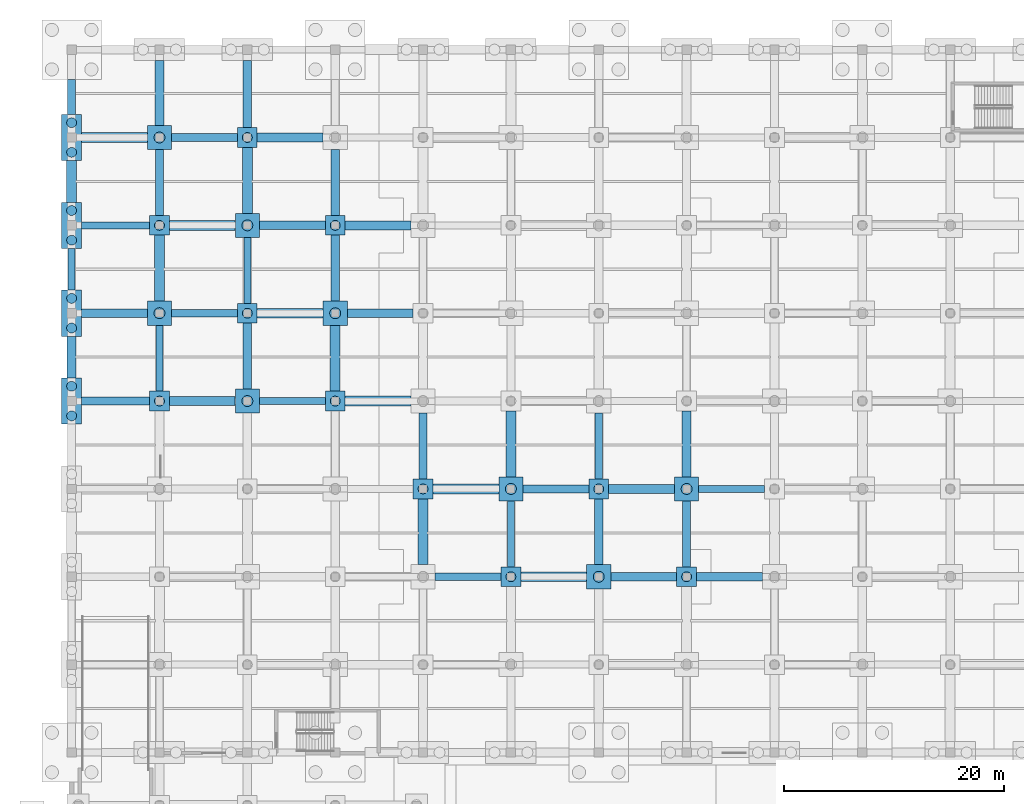
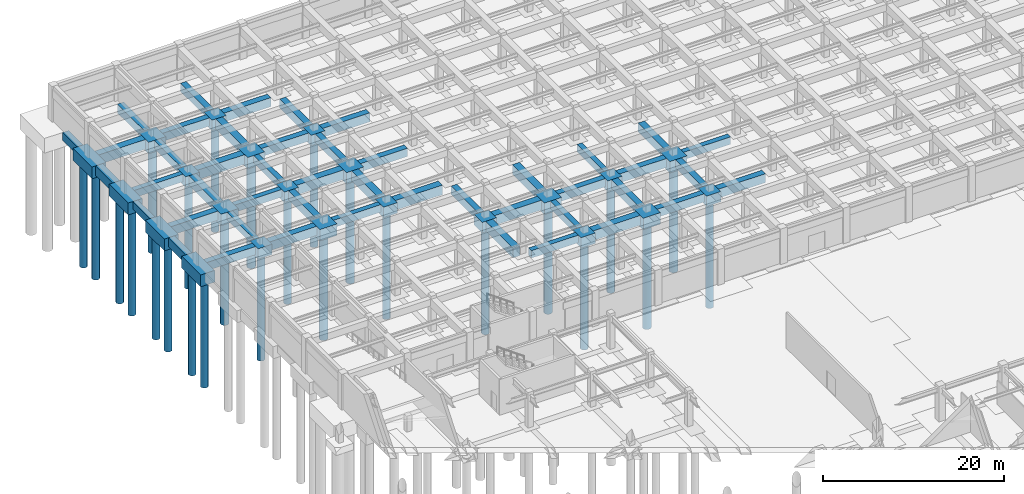
# One storey, part 7 of 48: 68 footings, 26 piles.
"""IFC4 building model written with IfcOpenShell, lengths in metres."""

from ifc_helpers import new_model, si_unit, direction, frame, origin, origin_2d, place, context, subcontext, project, spatial, polyline, rectangle, circle, outline, extrude, material, layer, layer_set, material_profile, profile_set, type_object, element, save


model = new_model("IFC4")

# Units and contexts
model_context = context("Model", 3, precision=1e-05, world=origin(), true_north=direction((0.0, 1.0)))
body_context = subcontext(model_context, "Body", "Model", "MODEL_VIEW")
ifc_project = project(units=[si_unit("LENGTHUNIT", "METRE"), si_unit("AREAUNIT", "SQUARE_METRE"), si_unit("VOLUMEUNIT", "CUBIC_METRE"), si_unit("PLANEANGLEUNIT", "RADIAN"), si_unit("MASSUNIT", "GRAM", prefix="KILO")], contexts=[model_context])

# Site, building, storey
site_placement = place(None, origin())
site = spatial("IfcSite", under=ifc_project, at=site_placement, CompositionType="ELEMENT")
building_placement = place(site_placement, origin())
building = spatial("IfcBuilding", under=site, at=building_placement, Name="Tlacozan Convention Centre", CompositionType="ELEMENT")
storey_placement = place(building_placement, frame((0.0, 0.0, -4.800048828125)))
storey = spatial("IfcBuildingStorey", under=building, at=storey_placement, Name="B01", CompositionType="ELEMENT", Elevation=-4.800048828125)

# Footings
ifc_material = material(Name="Concrete C35/45", Category="concrete")
ifc_layer_1 = layer(ifc_material, 1.0)
ifc_layer_set_1 = layer_set([ifc_layer_1], Name="Concrete C35/45")
footing_type_1 = type_object("IfcFootingType", Name="Foundation Tie Beam 650x1000", PredefinedType="FOOTING_BEAM", material=ifc_layer_set_1)
footing_1_placement = place(storey_placement, frame((0.0, 0.0, -1.0)))
element("IfcFooting", 1, at=footing_1_placement, inside=storey, type_object=footing_type_1, Name="Foundation Tie Beam X-173", PredefinedType="FOOTING_BEAM", context=body_context, shape_type="SweptSolid", body=[
    extrude(outline(polyline([(33.10009765625, 77.675048828125), (39.10009765625, 77.675048828125), (39.10009765625, 78.324951171875), (33.10009765625, 78.324951171875), (33.10009765625, 77.675048828125)])), origin(), (0.0, 0.0, 1.0), 1.0),
])
footing_2_placement = place(storey_placement, frame((0.0, 0.0, -1.0)))
element("IfcFooting", 2, at=footing_2_placement, inside=storey, type_object=footing_type_1, Name="Foundation Tie Beam X-197", PredefinedType="FOOTING_BEAM", context=body_context, shape_type="SweptSolid", body=[
    extrude(outline(polyline([(57.10009765625, 85.675048828125), (63.10009765625, 85.675048828125), (63.10009765625, 86.324951171875), (57.10009765625, 86.324951171875), (57.10009765625, 85.675048828125)])), origin(), (0.0, 0.0, 1.0), 1.0),
])
footing_3_placement = place(storey_placement, frame((0.0, 0.0, -1.0)))
element("IfcFooting", 3, at=footing_3_placement, inside=storey, type_object=footing_type_1, Name="Foundation Tie Beam X-213", PredefinedType="FOOTING_BEAM", context=body_context, shape_type="SweptSolid", body=[
    extrude(outline(polyline([(17.10009765625, 93.675048828125), (23.10009765625, 93.675048828125), (23.10009765625, 94.324951171875), (17.10009765625, 94.324951171875), (17.10009765625, 93.675048828125)])), origin(), (0.0, 0.0, 1.0), 1.0),
])
footing_4_placement = place(storey_placement, frame((0.0, 0.0, -1.0)))
element("IfcFooting", 4, at=footing_4_placement, inside=storey, type_object=footing_type_1, Name="Foundation Tie Beam X-233", PredefinedType="FOOTING_BEAM", context=body_context, shape_type="SweptSolid", body=[
    extrude(outline(polyline([(9.10009765625, 101.675048828125), (15.10009765625, 101.675048828125), (15.10009765625, 102.324951171875), (9.10009765625, 102.324951171875), (9.10009765625, 101.675048828125)])), origin(), (0.0, 0.0, 1.0), 1.0),
])
footing_5_placement = place(storey_placement, frame((0.0, 0.0, -1.0)))
element("IfcFooting", 5, at=footing_5_placement, inside=storey, type_object=footing_type_1, Name="Foundation Tie Beam X-253", PredefinedType="FOOTING_BEAM", context=body_context, shape_type="SweptSolid", body=[
    extrude(outline(polyline([(0.89990234375, 109.675048828125), (7.10009765625, 109.675048828125), (7.10009765625, 110.324951171875), (0.89990234375, 110.324951171875), (0.89990234375, 109.675048828125)])), origin(), (0.0, 0.0, 1.0), 1.0),
])
footing_6_placement = place(storey_placement, frame((0.0, 0.0, -1.0)))
element("IfcFooting", 6, at=footing_6_placement, inside=storey, type_object=footing_type_1, Name="Foundation Tie Beam Y-321", PredefinedType="FOOTING_BEAM", context=body_context, shape_type="SweptSolid", body=[
    extrude(outline(polyline([(-0.324951171875, 104.10009765625), (0.324951171875, 104.10009765625), (0.324951171875, 107.89990234375), (-0.324951171875, 107.89990234375), (-0.324951171875, 104.10009765625)])), origin(), (0.0, 0.0, 1.0), 1.0),
])
footing_7_placement = place(storey_placement, frame((0.0, 0.0, -1.0)))
element("IfcFooting", 7, at=footing_7_placement, inside=storey, type_object=footing_type_1, Name="Foundation Tie Beam Y-337", PredefinedType="FOOTING_BEAM", context=body_context, shape_type="SweptSolid", body=[
    extrude(outline(polyline([(7.675048828125, 94.89990234375), (8.324951171875, 94.89990234375), (8.324951171875, 100.89990234375), (7.675048828125, 100.89990234375), (7.675048828125, 94.89990234375)])), origin(), (0.0, 0.0, 1.0), 1.0),
])
footing_8_placement = place(storey_placement, frame((0.0, 0.0, -1.0)))
element("IfcFooting", 8, at=footing_8_placement, inside=storey, type_object=footing_type_1, Name="Foundation Tie Beam Y-353", PredefinedType="FOOTING_BEAM", context=body_context, shape_type="SweptSolid", body=[
    extrude(outline(polyline([(15.675048828125, 102.89990234375), (16.324951171875, 102.89990234375), (16.324951171875, 108.89990234375), (15.675048828125, 108.89990234375), (15.675048828125, 102.89990234375)])), origin(), (0.0, 0.0, 1.0), 1.0),
])
footing_9_placement = place(storey_placement, frame((0.0, 0.0, -1.0)))
element("IfcFooting", 9, at=footing_9_placement, inside=storey, type_object=footing_type_1, Name="Foundation Tie Beam Y-389", PredefinedType="FOOTING_BEAM", context=body_context, shape_type="SweptSolid", body=[
    extrude(outline(polyline([(39.675048828125, 78.89990234375), (40.324951171875, 78.89990234375), (40.324951171875, 84.89990234375), (39.675048828125, 84.89990234375), (39.675048828125, 78.89990234375)])), origin(), (0.0, 0.0, 1.0), 1.0),
])
footing_10_placement = place(storey_placement, frame((0.0, 0.0, -1.0)))
element("IfcFooting", 10, at=footing_10_placement, inside=storey, type_object=footing_type_1, Name="Foundation Tie Beam Y-401", PredefinedType="FOOTING_BEAM", context=body_context, shape_type="SweptSolid", body=[
    extrude(outline(polyline([(47.675048828125, 86.89990234375), (48.324951171875, 86.89990234375), (48.324951171875, 92.89990234375), (47.675048828125, 92.89990234375), (47.675048828125, 86.89990234375)])), origin(), (0.0, 0.0, 1.0), 1.0),
])
ifc_layer_2 = layer(ifc_material, 1.10009765625)
ifc_layer_set_2 = layer_set([ifc_layer_2], Name="Concrete C35/45")
footing_type_2 = type_object("IfcFootingType", Name="Foundation Tie Beam 750x1100", PredefinedType="FOOTING_BEAM", material=ifc_layer_set_2)
footing_11_placement = place(storey_placement, frame((0.0, 0.0, -1.099853515625)))
element("IfcFooting", 11, at=footing_11_placement, inside=storey, type_object=footing_type_2, Name="Foundation Tie Beam X-175", PredefinedType="FOOTING_BEAM", context=body_context, shape_type="SweptSolid", body=[
    extrude(outline(polyline([(49.10009765625, 77.625), (55.10009765625, 77.625), (55.10009765625, 78.375), (49.10009765625, 78.375), (49.10009765625, 77.625)])), origin(), (0.0, 0.0, 1.0), 1.099853515625),
])
footing_12_placement = place(storey_placement, frame((0.0, 0.0, -1.099853515625)))
element("IfcFooting", 12, at=footing_12_placement, inside=storey, type_object=footing_type_2, Name="Foundation Tie Beam X-195", PredefinedType="FOOTING_BEAM", context=body_context, shape_type="SweptSolid", body=[
    extrude(outline(polyline([(41.10009765625, 85.625), (47.10009765625, 85.625), (47.10009765625, 86.375), (41.10009765625, 86.375), (41.10009765625, 85.625)])), origin(), (0.0, 0.0, 1.0), 1.099853515625),
])
footing_13_placement = place(storey_placement, frame((0.0, 0.0, -1.099853515625)))
element("IfcFooting", 13, at=footing_13_placement, inside=storey, type_object=footing_type_2, Name="Foundation Tie Beam X-211", PredefinedType="FOOTING_BEAM", context=body_context, shape_type="SweptSolid", body=[
    extrude(outline(polyline([(0.89990234375, 93.625), (7.10009765625, 93.625), (7.10009765625, 94.375), (0.89990234375, 94.375), (0.89990234375, 93.625)])), origin(), (0.0, 0.0, 1.0), 1.099853515625),
])
footing_14_placement = place(storey_placement, frame((0.0, 0.0, -1.099853515625)))
element("IfcFooting", 14, at=footing_14_placement, inside=storey, type_object=footing_type_2, Name="Foundation Tie Beam X-235", PredefinedType="FOOTING_BEAM", context=body_context, shape_type="SweptSolid", body=[
    extrude(outline(polyline([(25.10009765625, 101.625), (31.10009765625, 101.625), (31.10009765625, 102.375), (25.10009765625, 102.375), (25.10009765625, 101.625)])), origin(), (0.0, 0.0, 1.0), 1.099853515625),
])
footing_15_placement = place(storey_placement, frame((0.0, 0.0, -1.099853515625)))
element("IfcFooting", 15, at=footing_15_placement, inside=storey, type_object=footing_type_2, Name="Foundation Tie Beam X-255", PredefinedType="FOOTING_BEAM", context=body_context, shape_type="SweptSolid", body=[
    extrude(outline(polyline([(17.10009765625, 109.625), (23.10009765625, 109.625), (23.10009765625, 110.375), (17.10009765625, 110.375), (17.10009765625, 109.625)])), origin(), (0.0, 0.0, 1.0), 1.099853515625),
])
footing_16_placement = place(storey_placement, frame((0.0, 0.0, -1.099853515625)))
element("IfcFooting", 16, at=footing_16_placement, inside=storey, type_object=footing_type_2, Name="Foundation Tie Beam X-275", PredefinedType="FOOTING_BEAM", context=body_context, shape_type="SweptSolid", body=[
    extrude(outline(polyline([(9.10009765625, 117.625), (15.10009765625, 117.625), (15.10009765625, 118.375), (9.10009765625, 118.375), (9.10009765625, 117.625)])), origin(), (0.0, 0.0, 1.0), 1.099853515625),
])
footing_17_placement = place(storey_placement, frame((0.0, 0.0, -1.099853515625)))
element("IfcFooting", 17, at=footing_17_placement, inside=storey, type_object=footing_type_2, Name="Foundation Tie Beam Y-323", PredefinedType="FOOTING_BEAM", context=body_context, shape_type="SweptSolid", body=[
    extrude(outline(polyline([(-0.375, 120.10009765625), (0.375, 120.10009765625), (0.375, 123.300048828125), (-0.375, 123.300048828125), (-0.375, 120.10009765625)])), origin(), (0.0, 0.0, 1.0), 1.099853515625),
])
footing_18_placement = place(storey_placement, frame((0.0, 0.0, -1.099853515625)))
element("IfcFooting", 18, at=footing_18_placement, inside=storey, type_object=footing_type_2, Name="Foundation Tie Beam Y-339", PredefinedType="FOOTING_BEAM", context=body_context, shape_type="SweptSolid", body=[
    extrude(outline(polyline([(7.625, 110.89990234375), (8.375, 110.89990234375), (8.375, 116.89990234375), (7.625, 116.89990234375), (7.625, 110.89990234375)])), origin(), (0.0, 0.0, 1.0), 1.099853515625),
])
footing_19_placement = place(storey_placement, frame((0.0, 0.0, -1.099853515625)))
element("IfcFooting", 19, at=footing_19_placement, inside=storey, type_object=footing_type_2, Name="Foundation Tie Beam Y-355", PredefinedType="FOOTING_BEAM", context=body_context, shape_type="SweptSolid", body=[
    extrude(outline(polyline([(15.625, 118.89990234375), (16.375, 118.89990234375), (16.375, 125.0), (15.625, 125.0), (15.625, 118.89990234375)])), origin(), (0.0, 0.0, 1.0), 1.099853515625),
])
footing_20_placement = place(storey_placement, frame((0.0, 0.0, -1.099853515625)))
element("IfcFooting", 20, at=footing_20_placement, inside=storey, type_object=footing_type_2, Name="Foundation Tie Beam Y-367", PredefinedType="FOOTING_BEAM", context=body_context, shape_type="SweptSolid", body=[
    extrude(outline(polyline([(23.625, 103.10009765625), (24.375, 103.10009765625), (24.375, 109.10009765625), (23.625, 109.10009765625), (23.625, 103.10009765625)])), origin(), (0.0, 0.0, 1.0), 1.099853515625),
])
footing_21_placement = place(storey_placement, frame((0.0, 0.0, -1.099853515625)))
element("IfcFooting", 21, at=footing_21_placement, inside=storey, type_object=footing_type_2, Name="Foundation Tie Beam Y-379", PredefinedType="FOOTING_BEAM", context=body_context, shape_type="SweptSolid", body=[
    extrude(outline(polyline([(31.625, 86.89990234375), (32.375, 86.89990234375), (32.375, 92.89990234375), (31.625, 92.89990234375), (31.625, 86.89990234375)])), origin(), (0.0, 0.0, 1.0), 1.099853515625),
])
footing_22_placement = place(storey_placement, frame((0.0, 0.0, -1.099853515625)))
element("IfcFooting", 22, at=footing_22_placement, inside=storey, type_object=footing_type_2, Name="Foundation Tie Beam Y-411", PredefinedType="FOOTING_BEAM", context=body_context, shape_type="SweptSolid", body=[
    extrude(outline(polyline([(55.625, 78.89990234375), (56.375, 78.89990234375), (56.375, 84.89990234375), (55.625, 84.89990234375), (55.625, 78.89990234375)])), origin(), (0.0, 0.0, 1.0), 1.099853515625),
])
ifc_layer_3 = layer(ifc_material, 1.199951171875)
ifc_layer_set_3 = layer_set([ifc_layer_3], Name="Concrete C35/45")
footing_type_3 = type_object("IfcFootingType", Name="Foundation Tie Beam 800x1200", PredefinedType="FOOTING_BEAM", material=ifc_layer_set_3)
footing_23_placement = place(storey_placement, frame((0.0, 0.0, -1.199951171875)))
element("IfcFooting", 23, at=footing_23_placement, inside=storey, type_object=footing_type_3, Name="Foundation Tie Beam X-176", PredefinedType="FOOTING_BEAM", context=body_context, shape_type="SweptSolid", body=[
    extrude(outline(polyline([(56.89990234375, 77.60009765625), (62.89990234375, 77.60009765625), (62.89990234375, 78.39990234375), (56.89990234375, 78.39990234375), (56.89990234375, 77.60009765625)])), origin(), (0.0, 0.0, 1.0), 1.199951171875),
])
footing_24_placement = place(storey_placement, frame((0.0, 0.0, -1.199951171875)))
element("IfcFooting", 24, at=footing_24_placement, inside=storey, type_object=footing_type_3, Name="Foundation Tie Beam X-196", PredefinedType="FOOTING_BEAM", context=body_context, shape_type="SweptSolid", body=[
    extrude(outline(polyline([(48.89990234375, 85.60009765625), (54.89990234375, 85.60009765625), (54.89990234375, 86.39990234375), (48.89990234375, 86.39990234375), (48.89990234375, 85.60009765625)])), origin(), (0.0, 0.0, 1.0), 1.199951171875),
])
footing_25_placement = place(storey_placement, frame((0.0, 0.0, -1.199951171875)))
element("IfcFooting", 25, at=footing_25_placement, inside=storey, type_object=footing_type_3, Name="Foundation Tie Beam X-212", PredefinedType="FOOTING_BEAM", context=body_context, shape_type="SweptSolid", body=[
    extrude(outline(polyline([(8.89990234375, 93.60009765625), (14.89990234375, 93.60009765625), (14.89990234375, 94.39990234375), (8.89990234375, 94.39990234375), (8.89990234375, 93.60009765625)])), origin(), (0.0, 0.0, 1.0), 1.199951171875),
])
footing_26_placement = place(storey_placement, frame((0.0, 0.0, -1.199951171875)))
element("IfcFooting", 26, at=footing_26_placement, inside=storey, type_object=footing_type_3, Name="Foundation Tie Beam X-232", PredefinedType="FOOTING_BEAM", context=body_context, shape_type="SweptSolid", body=[
    extrude(outline(polyline([(0.89990234375, 101.60009765625), (6.89990234375, 101.60009765625), (6.89990234375, 102.39990234375), (0.89990234375, 102.39990234375), (0.89990234375, 101.60009765625)])), origin(), (0.0, 0.0, 1.0), 1.199951171875),
])
footing_27_placement = place(storey_placement, frame((0.0, 0.0, -1.199951171875)))
element("IfcFooting", 27, at=footing_27_placement, inside=storey, type_object=footing_type_3, Name="Foundation Tie Beam X-256", PredefinedType="FOOTING_BEAM", context=body_context, shape_type="SweptSolid", body=[
    extrude(outline(polyline([(24.89990234375, 109.60009765625), (30.89990234375, 109.60009765625), (30.89990234375, 110.39990234375), (24.89990234375, 110.39990234375), (24.89990234375, 109.60009765625)])), origin(), (0.0, 0.0, 1.0), 1.199951171875),
])
footing_28_placement = place(storey_placement, frame((0.0, 0.0, -1.199951171875)))
element("IfcFooting", 28, at=footing_28_placement, inside=storey, type_object=footing_type_3, Name="Foundation Tie Beam X-276", PredefinedType="FOOTING_BEAM", context=body_context, shape_type="SweptSolid", body=[
    extrude(outline(polyline([(16.89990234375, 117.60009765625), (22.89990234375, 117.60009765625), (22.89990234375, 118.39990234375), (16.89990234375, 118.39990234375), (16.89990234375, 117.60009765625)])), origin(), (0.0, 0.0, 1.0), 1.199951171875),
])
footing_29_placement = place(storey_placement, frame((0.0, 0.0, -1.199951171875)))
element("IfcFooting", 29, at=footing_29_placement, inside=storey, type_object=footing_type_3, Name="Foundation Tie Beam Y-320", PredefinedType="FOOTING_BEAM", context=body_context, shape_type="SweptSolid", body=[
    extrude(outline(polyline([(-0.39990234375, 96.10009765625), (0.39990234375, 96.10009765625), (0.39990234375, 99.89990234375), (-0.39990234375, 99.89990234375), (-0.39990234375, 96.10009765625)])), origin(), (0.0, 0.0, 1.0), 1.199951171875),
])
footing_30_placement = place(storey_placement, frame((0.0, 0.0, -1.199951171875)))
element("IfcFooting", 30, at=footing_30_placement, inside=storey, type_object=footing_type_3, Name="Foundation Tie Beam Y-340", PredefinedType="FOOTING_BEAM", context=body_context, shape_type="SweptSolid", body=[
    extrude(outline(polyline([(7.60009765625, 119.10009765625), (8.39990234375, 119.10009765625), (8.39990234375, 125.0), (7.60009765625, 125.0), (7.60009765625, 119.10009765625)])), origin(), (0.0, 0.0, 1.0), 1.199951171875),
])
footing_31_placement = place(storey_placement, frame((0.0, 0.0, -1.199951171875)))
element("IfcFooting", 31, at=footing_31_placement, inside=storey, type_object=footing_type_3, Name="Foundation Tie Beam Y-352", PredefinedType="FOOTING_BEAM", context=body_context, shape_type="SweptSolid", body=[
    extrude(outline(polyline([(15.60009765625, 95.10009765625), (16.39990234375, 95.10009765625), (16.39990234375, 101.10009765625), (15.60009765625, 101.10009765625), (15.60009765625, 95.10009765625)])), origin(), (0.0, 0.0, 1.0), 1.199951171875),
])
footing_32_placement = place(storey_placement, frame((0.0, 0.0, -1.199951171875)))
element("IfcFooting", 32, at=footing_32_placement, inside=storey, type_object=footing_type_3, Name="Foundation Tie Beam Y-368", PredefinedType="FOOTING_BEAM", context=body_context, shape_type="SweptSolid", body=[
    extrude(outline(polyline([(23.60009765625, 110.89990234375), (24.39990234375, 110.89990234375), (24.39990234375, 116.89990234375), (23.60009765625, 116.89990234375), (23.60009765625, 110.89990234375)])), origin(), (0.0, 0.0, 1.0), 1.199951171875),
])
footing_33_placement = place(storey_placement, frame((0.0, 0.0, -1.199951171875)))
element("IfcFooting", 33, at=footing_33_placement, inside=storey, type_object=footing_type_3, Name="Foundation Tie Beam Y-400", PredefinedType="FOOTING_BEAM", context=body_context, shape_type="SweptSolid", body=[
    extrude(outline(polyline([(47.60009765625, 79.10009765625), (48.39990234375, 79.10009765625), (48.39990234375, 85.10009765625), (47.60009765625, 85.10009765625), (47.60009765625, 79.10009765625)])), origin(), (0.0, 0.0, 1.0), 1.199951171875),
])
footing_34_placement = place(storey_placement, frame((0.0, 0.0, -1.199951171875)))
element("IfcFooting", 34, at=footing_34_placement, inside=storey, type_object=footing_type_3, Name="Foundation Tie Beam Y-412", PredefinedType="FOOTING_BEAM", context=body_context, shape_type="SweptSolid", body=[
    extrude(outline(polyline([(55.60009765625, 87.10009765625), (56.39990234375, 87.10009765625), (56.39990234375, 93.10009765625), (55.60009765625, 93.10009765625), (55.60009765625, 87.10009765625)])), origin(), (0.0, 0.0, 1.0), 1.199951171875),
])
ifc_layer_4 = layer(ifc_material, 1.300048828125)
ifc_layer_set_4 = layer_set([ifc_layer_4], Name="Concrete C35/45")
footing_type_4 = type_object("IfcFootingType", Name="Foundation Tie Beam 900x1300", PredefinedType="FOOTING_BEAM", material=ifc_layer_set_4)
footing_35_placement = place(storey_placement, frame((0.0, 0.0, -1.300048828125)))
element("IfcFooting", 35, at=footing_35_placement, inside=storey, type_object=footing_type_4, Name="Foundation Tie Beam X-174", PredefinedType="FOOTING_BEAM", context=body_context, shape_type="SweptSolid", body=[
    extrude(outline(polyline([(40.89990234375, 77.550048828125), (46.89990234375, 77.550048828125), (46.89990234375, 78.449951171875), (40.89990234375, 78.449951171875), (40.89990234375, 77.550048828125)])), origin(), (0.0, 0.0, 1.0), 1.300048828125),
])
footing_36_placement = place(storey_placement, frame((0.0, 0.0, -1.300048828125)))
element("IfcFooting", 36, at=footing_36_placement, inside=storey, type_object=footing_type_4, Name="Foundation Tie Beam X-194", PredefinedType="FOOTING_BEAM", context=body_context, shape_type="SweptSolid", body=[
    extrude(outline(polyline([(32.89990234375, 85.550048828125), (38.89990234375, 85.550048828125), (38.89990234375, 86.449951171875), (32.89990234375, 86.449951171875), (32.89990234375, 85.550048828125)])), origin(), (0.0, 0.0, 1.0), 1.300048828125),
])
footing_37_placement = place(storey_placement, frame((0.0, 0.0, -1.300048828125)))
element("IfcFooting", 37, at=footing_37_placement, inside=storey, type_object=footing_type_4, Name="Foundation Tie Beam X-214", PredefinedType="FOOTING_BEAM", context=body_context, shape_type="SweptSolid", body=[
    extrude(outline(polyline([(24.89990234375, 93.550048828125), (30.89990234375, 93.550048828125), (30.89990234375, 94.449951171875), (24.89990234375, 94.449951171875), (24.89990234375, 93.550048828125)])), origin(), (0.0, 0.0, 1.0), 1.300048828125),
])
footing_38_placement = place(storey_placement, frame((0.0, 0.0, -1.300048828125)))
element("IfcFooting", 38, at=footing_38_placement, inside=storey, type_object=footing_type_4, Name="Foundation Tie Beam X-234", PredefinedType="FOOTING_BEAM", context=body_context, shape_type="SweptSolid", body=[
    extrude(outline(polyline([(16.89990234375, 101.550048828125), (22.89990234375, 101.550048828125), (22.89990234375, 102.449951171875), (16.89990234375, 102.449951171875), (16.89990234375, 101.550048828125)])), origin(), (0.0, 0.0, 1.0), 1.300048828125),
])
footing_39_placement = place(storey_placement, frame((0.0, 0.0, -1.300048828125)))
element("IfcFooting", 39, at=footing_39_placement, inside=storey, type_object=footing_type_4, Name="Foundation Tie Beam X-254", PredefinedType="FOOTING_BEAM", context=body_context, shape_type="SweptSolid", body=[
    extrude(outline(polyline([(8.89990234375, 109.550048828125), (14.89990234375, 109.550048828125), (14.89990234375, 110.449951171875), (8.89990234375, 110.449951171875), (8.89990234375, 109.550048828125)])), origin(), (0.0, 0.0, 1.0), 1.300048828125),
])
footing_40_placement = place(storey_placement, frame((0.0, 0.0, -1.300048828125)))
element("IfcFooting", 40, at=footing_40_placement, inside=storey, type_object=footing_type_4, Name="Foundation Tie Beam X-274", PredefinedType="FOOTING_BEAM", context=body_context, shape_type="SweptSolid", body=[
    extrude(outline(polyline([(0.89990234375, 117.550048828125), (6.89990234375, 117.550048828125), (6.89990234375, 118.449951171875), (0.89990234375, 118.449951171875), (0.89990234375, 117.550048828125)])), origin(), (0.0, 0.0, 1.0), 1.300048828125),
])
footing_41_placement = place(storey_placement, frame((0.0, 0.0, -1.300048828125)))
element("IfcFooting", 41, at=footing_41_placement, inside=storey, type_object=footing_type_4, Name="Foundation Tie Beam Y-322", PredefinedType="FOOTING_BEAM", context=body_context, shape_type="SweptSolid", body=[
    extrude(outline(polyline([(-0.449951171875, 112.10009765625), (0.449951171875, 112.10009765625), (0.449951171875, 115.89990234375), (-0.449951171875, 115.89990234375), (-0.449951171875, 112.10009765625)])), origin(), (0.0, 0.0, 1.0), 1.300048828125),
])
footing_42_placement = place(storey_placement, frame((0.0, 0.0, -1.300048828125)))
element("IfcFooting", 42, at=footing_42_placement, inside=storey, type_object=footing_type_4, Name="Foundation Tie Beam Y-338", PredefinedType="FOOTING_BEAM", context=body_context, shape_type="SweptSolid", body=[
    extrude(outline(polyline([(7.550048828125, 103.10009765625), (8.449951171875, 103.10009765625), (8.449951171875, 109.10009765625), (7.550048828125, 109.10009765625), (7.550048828125, 103.10009765625)])), origin(), (0.0, 0.0, 1.0), 1.300048828125),
])
footing_43_placement = place(storey_placement, frame((0.0, 0.0, -1.300048828125)))
element("IfcFooting", 43, at=footing_43_placement, inside=storey, type_object=footing_type_4, Name="Foundation Tie Beam Y-354", PredefinedType="FOOTING_BEAM", context=body_context, shape_type="SweptSolid", body=[
    extrude(outline(polyline([(15.550048828125, 111.10009765625), (16.449951171875, 111.10009765625), (16.449951171875, 117.10009765625), (15.550048828125, 117.10009765625), (15.550048828125, 111.10009765625)])), origin(), (0.0, 0.0, 1.0), 1.300048828125),
])
footing_44_placement = place(storey_placement, frame((0.0, 0.0, -1.300048828125)))
element("IfcFooting", 44, at=footing_44_placement, inside=storey, type_object=footing_type_4, Name="Foundation Tie Beam Y-366", PredefinedType="FOOTING_BEAM", context=body_context, shape_type="SweptSolid", body=[
    extrude(outline(polyline([(23.550048828125, 94.89990234375), (24.449951171875, 94.89990234375), (24.449951171875, 100.89990234375), (23.550048828125, 100.89990234375), (23.550048828125, 94.89990234375)])), origin(), (0.0, 0.0, 1.0), 1.300048828125),
])
footing_45_placement = place(storey_placement, frame((0.0, 0.0, -1.300048828125)))
element("IfcFooting", 45, at=footing_45_placement, inside=storey, type_object=footing_type_4, Name="Foundation Tie Beam Y-378", PredefinedType="FOOTING_BEAM", context=body_context, shape_type="SweptSolid", body=[
    extrude(outline(polyline([(31.550048828125, 79.10009765625), (32.449951171875, 79.10009765625), (32.449951171875, 85.10009765625), (31.550048828125, 85.10009765625), (31.550048828125, 79.10009765625)])), origin(), (0.0, 0.0, 1.0), 1.300048828125),
])
footing_46_placement = place(storey_placement, frame((0.0, 0.0, -1.300048828125)))
element("IfcFooting", 46, at=footing_46_placement, inside=storey, type_object=footing_type_4, Name="Foundation Tie Beam Y-390", PredefinedType="FOOTING_BEAM", context=body_context, shape_type="SweptSolid", body=[
    extrude(outline(polyline([(39.550048828125, 87.10009765625), (40.449951171875, 87.10009765625), (40.449951171875, 93.10009765625), (39.550048828125, 93.10009765625), (39.550048828125, 87.10009765625)])), origin(), (0.0, 0.0, 1.0), 1.300048828125),
])
ifc_layer_5 = layer(ifc_material, 1.39990234375)
ifc_layer_set_5 = layer_set([ifc_layer_5], Name="Concrete C35/45")
footing_type_5 = type_object("IfcFootingType", Name="Pile Cap 1P 1800x1800x1400", PredefinedType="PILE_CAP", material=ifc_layer_set_5)
for number, where, z_axis, x_axis, name in (
    (47, (8.0, 94.0, -1.39990234375), (0.0, 0.0, 1.0), (1.0, 0.0, 0.0), "Pile Cap PC-01 (25)"),
    (48, (8.0, 110.0, -1.39990234375), (0.0, 0.0, 1.0), (1.0, 0.0, 0.0), "Pile Cap PC-01 (27)"),
    (49, (16.0, 102.0, -1.39990234375), (0.0, 0.0, 1.0), (1.0, 0.0, 0.0), "Pile Cap PC-01 (43)"),
    (50, (16.0, 118.0, -1.39990234375), (0.0, 0.0, 1.0), (1.0, 0.0, 0.0), "Pile Cap PC-01 (45)"),
    (51, (24.0, 94.0, -1.39990234375), (0.0, 0.0, 1.0), (1.0, 0.0, 0.0), "Pile Cap PC-01 (59)"),
    (52, (24.0, 110.0, -1.39990234375), (0.0, 0.0, 1.0), (1.0, 0.0, 0.0), "Pile Cap PC-01 (61)"),
    (53, (32.0, 86.0, -1.39990234375), (0.0, 0.0, 1.0), (1.0, 0.0, 0.0), "Pile Cap PC-01 (75)"),
    (54, (40.0, 78.0, -1.39990234375), (0.0, 0.0, 1.0), (1.0, 0.0, 0.0), "Pile Cap PC-01 (87)"),
    (55, (48.0, 86.0, -1.39990234375), (0.0, 0.0, 1.0), (1.0, 0.0, 0.0), "Pile Cap PC-01 (101)"),
    (56, (56.0, 78.0, -1.39990234375), (0.0, 0.0, 1.0), (1.0, 0.0, 0.0), "Pile Cap PC-01 (113)"),
):
    element("IfcFooting", number, at=place(storey_placement, frame(where, z_axis=z_axis, x_axis=x_axis)), inside=storey, type_object=footing_type_5, Name=name, PredefinedType="PILE_CAP", context=body_context, shape_type="SweptSolid", body=[
        extrude(rectangle(XDim=1.800048828125, YDim=1.800048828125, at=origin_2d()), origin(), (0.0, 0.0, 1.0), 1.39990234375),
    ])
ifc_layer_6 = layer(ifc_material, 1.550048828125)
ifc_layer_set_6 = layer_set([ifc_layer_6], Name="Concrete C35/45")
footing_type_6 = type_object("IfcFootingType", Name="Pile Cap 1P 2200x2200x1550", PredefinedType="PILE_CAP", material=ifc_layer_set_6)
for number, where, z_axis, x_axis, name in (
    (57, (8.0, 102.0, -1.5498046875), (0.0, 0.0, 1.0), (1.0, 0.0, 0.0), "Pile Cap PC-09 (26)"),
    (58, (8.0, 118.0, -1.5498046875), (0.0, 0.0, 1.0), (1.0, 0.0, 0.0), "Pile Cap PC-09 (28)"),
    (59, (16.0, 94.0, -1.5498046875), (0.0, 0.0, 1.0), (1.0, 0.0, 0.0), "Pile Cap PC-09 (42)"),
    (60, (16.0, 110.0, -1.5498046875), (0.0, 0.0, 1.0), (1.0, 0.0, 0.0), "Pile Cap PC-09 (44)"),
    (61, (24.0, 102.0, -1.5498046875), (0.0, 0.0, 1.0), (1.0, 0.0, 0.0), "Pile Cap PC-09 (60)"),
    (62, (40.0, 86.0, -1.5498046875), (0.0, 0.0, 1.0), (1.0, 0.0, 0.0), "Pile Cap PC-09 (88)"),
    (63, (48.0, 78.0, -1.5498046875), (0.0, 0.0, 1.0), (1.0, 0.0, 0.0), "Pile Cap PC-09 (100)"),
    (64, (56.0, 86.0, -1.5498046875), (0.0, 0.0, 1.0), (1.0, 0.0, 0.0), "Pile Cap PC-09 (114)"),
):
    element("IfcFooting", number, at=place(storey_placement, frame(where, z_axis=z_axis, x_axis=x_axis)), inside=storey, type_object=footing_type_6, Name=name, PredefinedType="PILE_CAP", context=body_context, shape_type="SweptSolid", body=[
        extrude(rectangle(XDim=2.199951171875, YDim=2.199951171875, at=origin_2d()), origin(), (0.0, 0.0, 1.0), 1.550048828125),
    ])
ifc_layer_7 = layer(ifc_material, 1.60009765625)
ifc_layer_set_7 = layer_set([ifc_layer_7], Name="Concrete C35/45")
footing_type_7 = type_object("IfcFootingType", Name="Pile Cap 2P 1800x4200x1600", PredefinedType="PILE_CAP", material=ifc_layer_set_7)
for number, where, z_axis, x_axis, name in (
    (65, (0.0, 94.0, -1.60009765625), (0.0, 0.0, 1.0), (1.0, 0.0, 0.0), "Pile Cap PC-04 (5)"),
    (66, (0.0, 102.0, -1.60009765625), (0.0, 0.0, 1.0), (1.0, 0.0, 0.0), "Pile Cap PC-04 (6)"),
    (67, (0.0, 110.0, -1.60009765625), (0.0, 0.0, 1.0), (1.0, 0.0, 0.0), "Pile Cap PC-04 (7)"),
    (68, (0.0, 118.0, -1.60009765625), (0.0, 0.0, 1.0), (1.0, 0.0, 0.0), "Pile Cap PC-04 (8)"),
):
    element("IfcFooting", number, at=place(storey_placement, frame(where, z_axis=z_axis, x_axis=x_axis)), inside=storey, type_object=footing_type_7, Name=name, PredefinedType="PILE_CAP", context=body_context, shape_type="SweptSolid", body=[
        extrude(rectangle(XDim=1.800048828125, YDim=4.199951171875, at=origin_2d()), origin(), (0.0, 0.0, 1.0), 1.60009765625),
    ])

# Piles
ifc_material_profile_1 = material_profile(ifc_material, circle(Radius=0.5, at=origin_2d()), Name="PILE D1000")
ifc_profile_set_1 = profile_set([ifc_material_profile_1], Name="Concrete C35/45")
pile_type_1 = type_object("IfcPileType", Name="Pile D1000 Bored", PredefinedType="BORED", material=ifc_profile_set_1)
for number, where, z_axis, x_axis, name in (
    (69, (8.0, 102.0, -1.429931640625), (0.0, 0.0, -1.0), (1.0, 0.0, 0.0), "Bored Pile 54"),
    (70, (8.0, 118.0, -1.429931640625), (0.0, 0.0, -1.0), (1.0, 0.0, 0.0), "Bored Pile 56"),
    (71, (16.0, 94.0, -1.429931640625), (0.0, 0.0, -1.0), (1.0, 0.0, 0.0), "Bored Pile 82"),
    (72, (16.0, 110.0, -1.429931640625), (0.0, 0.0, -1.0), (1.0, 0.0, 0.0), "Bored Pile 84"),
    (73, (24.0, 102.0, -1.429931640625), (0.0, 0.0, -1.0), (1.0, 0.0, 0.0), "Bored Pile 114"),
    (74, (40.0, 86.0, -1.429931640625), (0.0, 0.0, -1.0), (1.0, 0.0, 0.0), "Bored Pile 170"),
    (75, (48.0, 78.0, -1.429931640625), (0.0, 0.0, -1.0), (1.0, 0.0, 0.0), "Bored Pile 196"),
    (76, (56.0, 86.0, -1.429931640625), (0.0, 0.0, -1.0), (1.0, 0.0, 0.0), "Bored Pile 224"),
):
    element("IfcPile", number, at=place(storey_placement, frame(where, z_axis=z_axis, x_axis=x_axis)), inside=storey, type_object=pile_type_1, Name=name, PredefinedType="BORED", context=body_context, shape_type="SweptSolid", body=[
        extrude(circle(Radius=0.5, at=origin_2d()), origin(), (0.0, 0.0, 1.0), 14.27001953125),
    ])
ifc_material_profile_2 = material_profile(ifc_material, circle(Radius=0.449951171875, at=origin_2d()), Name="PILE D900")
ifc_profile_set_2 = profile_set([ifc_material_profile_2], Name="Concrete C35/45")
pile_type_2 = type_object("IfcPileType", Name="Pile D900 Bored", PredefinedType="BORED", material=ifc_profile_set_2)
for number, where, z_axis, x_axis, name in (
    (77, (0.0, 92.64990234375, -1.47998046875), (0.0, 0.0, -1.0), (1.0, 0.0, 0.0), "Bored Pile 11"),
    (78, (0.0, 95.35009765625, -1.47998046875), (0.0, 0.0, -1.0), (1.0, 0.0, 0.0), "Bored Pile 12"),
    (79, (0.0, 100.64990234375, -1.47998046875), (0.0, 0.0, -1.0), (1.0, 0.0, 0.0), "Bored Pile 13"),
    (80, (0.0, 103.35009765625, -1.47998046875), (0.0, 0.0, -1.0), (1.0, 0.0, 0.0), "Bored Pile 14"),
    (81, (0.0, 108.64990234375, -1.47998046875), (0.0, 0.0, -1.0), (1.0, 0.0, 0.0), "Bored Pile 15"),
    (82, (0.0, 111.35009765625, -1.47998046875), (0.0, 0.0, -1.0), (1.0, 0.0, 0.0), "Bored Pile 16"),
    (83, (0.0, 116.64990234375, -1.47998046875), (0.0, 0.0, -1.0), (1.0, 0.0, 0.0), "Bored Pile 17"),
    (84, (0.0, 119.35009765625, -1.47998046875), (0.0, 0.0, -1.0), (1.0, 0.0, 0.0), "Bored Pile 18"),
):
    element("IfcPile", number, at=place(storey_placement, frame(where, z_axis=z_axis, x_axis=x_axis)), inside=storey, type_object=pile_type_2, Name=name, PredefinedType="BORED", context=body_context, shape_type="SweptSolid", body=[
        extrude(circle(Radius=0.449951171875, at=origin_2d()), origin(), (0.0, 0.0, 1.0), 14.219970703125),
    ])
for number, where, z_axis, x_axis, name in (
    (85, (8.0, 94.0, -1.280029296875), (0.0, 0.0, -1.0), (1.0, 0.0, 0.0), "Bored Pile 53"),
    (86, (8.0, 110.0, -1.280029296875), (0.0, 0.0, -1.0), (1.0, 0.0, 0.0), "Bored Pile 55"),
    (87, (16.0, 102.0, -1.280029296875), (0.0, 0.0, -1.0), (1.0, 0.0, 0.0), "Bored Pile 83"),
    (88, (16.0, 118.0, -1.280029296875), (0.0, 0.0, -1.0), (1.0, 0.0, 0.0), "Bored Pile 85"),
    (89, (24.0, 94.0, -1.280029296875), (0.0, 0.0, -1.0), (1.0, 0.0, 0.0), "Bored Pile 113"),
    (90, (24.0, 110.0, -1.280029296875), (0.0, 0.0, -1.0), (1.0, 0.0, 0.0), "Bored Pile 115"),
    (91, (32.0, 86.0, -1.280029296875), (0.0, 0.0, -1.0), (1.0, 0.0, 0.0), "Bored Pile 145"),
    (92, (40.0, 78.0, -1.280029296875), (0.0, 0.0, -1.0), (1.0, 0.0, 0.0), "Bored Pile 169"),
    (93, (48.0, 86.0, -1.280029296875), (0.0, 0.0, -1.0), (1.0, 0.0, 0.0), "Bored Pile 197"),
    (94, (56.0, 78.0, -1.280029296875), (0.0, 0.0, -1.0), (1.0, 0.0, 0.0), "Bored Pile 223"),
):
    element("IfcPile", number, at=place(storey_placement, frame(where, z_axis=z_axis, x_axis=x_axis)), inside=storey, type_object=pile_type_2, Name=name, PredefinedType="BORED", context=body_context, shape_type="SweptSolid", body=[
        extrude(circle(Radius=0.449951171875, at=origin_2d()), origin(), (0.0, 0.0, 1.0), 14.419921875),
    ])

save(model, "model.ifc")
